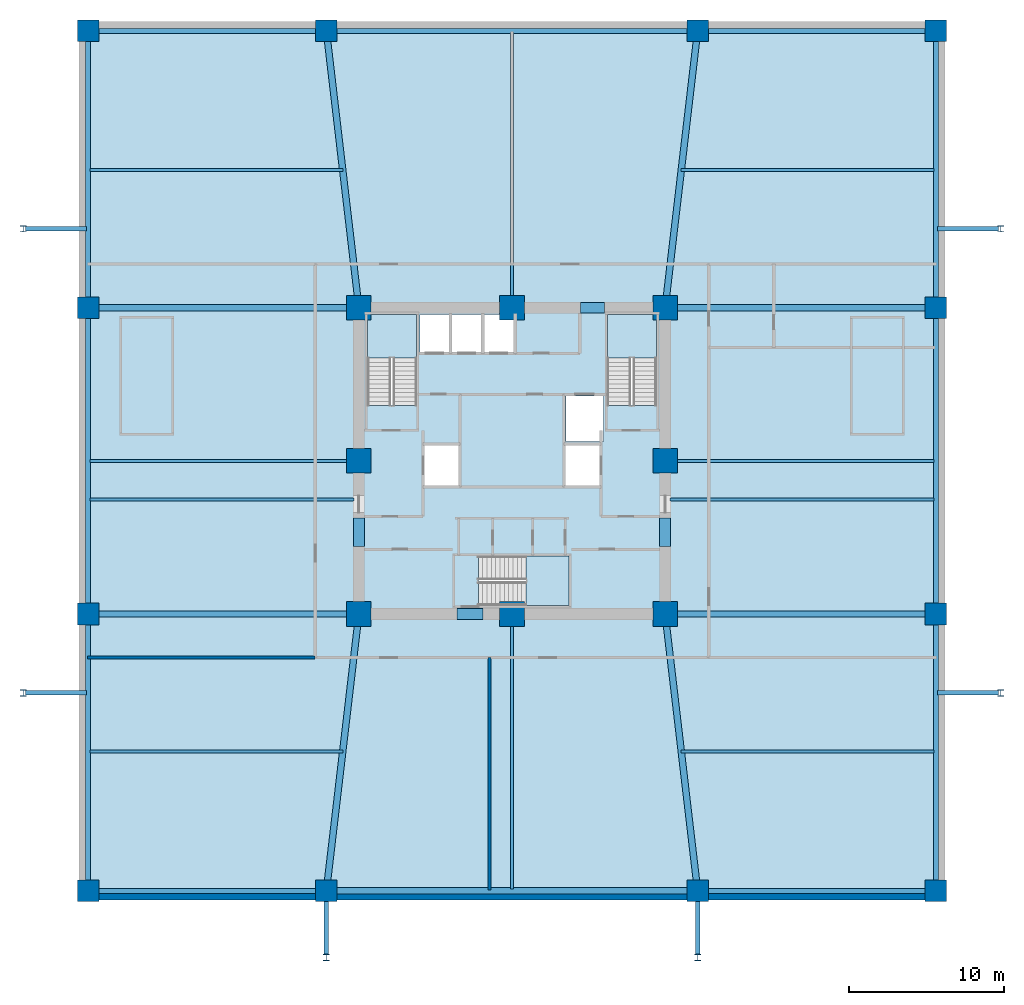
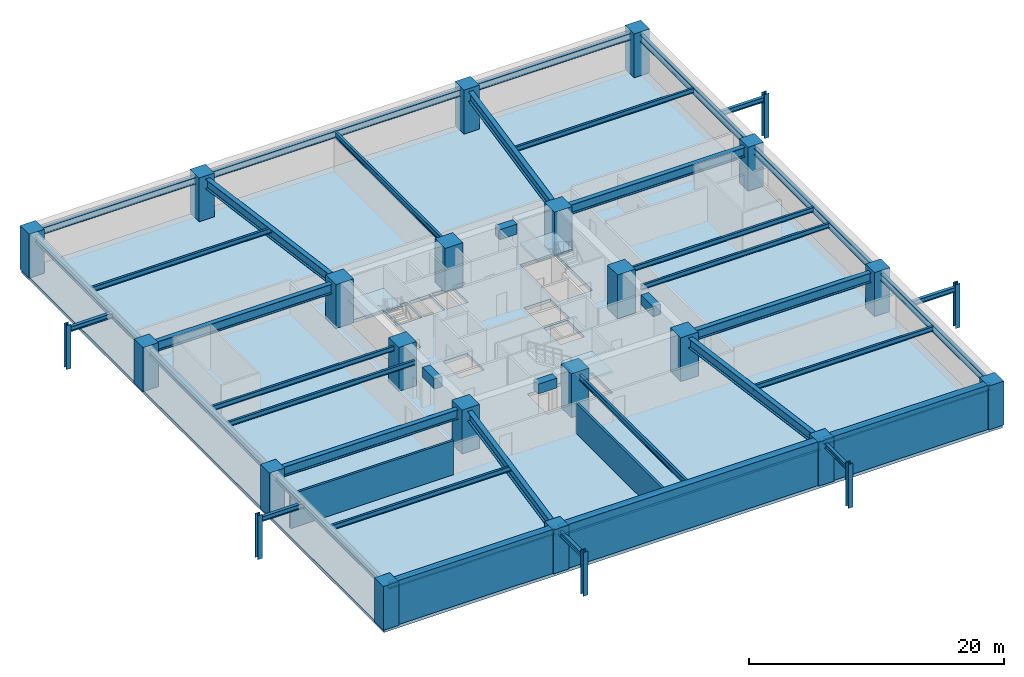
# One storey, part 1 of 5: 40 beams, 26 columns, 4 slabs, 3 walls, 3 elements without a shape of their own.
"""IFC4 building model written with IfcOpenShell, lengths in metres."""

import ifcopenshell
import ifcopenshell.guid

model = None  # the IFC model being written
_history = None  # IfcOwnerHistory: only IFC2X3 demands one
_inside = {}  # id of a spatial element -> (the spatial element, [elements in it])
_under = {}  # id of a project, library or spatial element -> (it, [spatial elements below it])
_declared = {}  # id of a project -> (the project, [libraries it declares])
_typed = {}  # id of a type object -> (the type object, [elements of that type])
_made_of = {}  # id of a material, layer set ... -> (it, [elements and type objects made of it])


def new_model(schema):
    """Start an empty IFC model of exactly this schema.

    Asked for "IFC4X3", IfcOpenShell would pick the latest addendum, in which some entities
    have other attributes; the version numbers below select the first issue.
    IFC2X3 requires an IfcOwnerHistory on every rooted entity: one is made here for all.
    """
    global model, _history
    if schema == "IFC4X3":
        model = ifcopenshell.file(schema_version=(4, 3, 0, 0))
    else:
        model = ifcopenshell.file(schema=schema)
    _inside.clear()
    _under.clear()
    _declared.clear()
    _typed.clear()
    _made_of.clear()
    _history = None
    if model.schema == "IFC2X3":
        org = make("IfcOrganization", Name="unknown")
        user = make(
            "IfcPersonAndOrganization",
            ThePerson=make("IfcPerson", FamilyName="unknown"),
            TheOrganization=org,
        )
        app = make(
            "IfcApplication",
            ApplicationDeveloper=org,
            Version="unknown",
            ApplicationFullName="unknown",
            ApplicationIdentifier="unknown",
        )
        _history = make(
            "IfcOwnerHistory",
            OwningUser=user,
            OwningApplication=app,
            ChangeAction="ADDED",
            CreationDate=0,
        )
    return model


def make(cls, **values):
    """One entity of the class cls with the attributes given. An attribute that is None is left unset."""
    return model.create_entity(
        cls, **{name: value for name, value in values.items() if value is not None}
    )


def rooted(cls, **values):
    """An entity with a GlobalId (a new one), such as an element, a storey or a relation."""
    return make(cls, GlobalId=ifcopenshell.guid.new(), OwnerHistory=_history, **values)


def si_unit(unit_type, name, prefix=None):
    """IfcSIUnit, for example si_unit("LENGTHUNIT", "METRE", prefix="MILLI")."""
    return make("IfcSIUnit", UnitType=unit_type, Prefix=prefix, Name=name)


def assignment(units):
    """IfcUnitAssignment: the units of a project."""
    return None if units is None else make("IfcUnitAssignment", Units=units)


def point(xyz):
    """IfcCartesianPoint."""
    return None if xyz is None else make("IfcCartesianPoint", Coordinates=xyz)


def direction(xyz):
    """IfcDirection."""
    return None if xyz is None else make("IfcDirection", DirectionRatios=xyz)


def frame(location, z_axis=None, x_axis=None):
    """IfcAxis2Placement3D, a coordinate frame: its origin and axes. An axis left out is left unset."""
    return make(
        "IfcAxis2Placement3D",
        Location=point(location),
        Axis=direction(z_axis),
        RefDirection=direction(x_axis),
    )


def frame_2d(location, x_axis=None):
    """IfcAxis2Placement2D, a coordinate frame in the plane: its origin and x axis."""
    return make(
        "IfcAxis2Placement2D", Location=point(location), RefDirection=direction(x_axis)
    )


def origin():
    """The frame at (0, 0, 0) with its axes left unset."""
    return frame((0.0, 0.0, 0.0))


def origin_2d():
    """The frame at (0, 0) in the plane with its x axis left unset."""
    return frame_2d((0.0, 0.0))


def place(relative_to, where):
    """IfcLocalPlacement: puts the frame where relative to a parent placement (None: the world)."""
    return make(
        "IfcLocalPlacement", PlacementRelTo=relative_to, RelativePlacement=where
    )


def context(
    kind, dimensions, precision=None, world=None, true_north=None, identifier=None
):
    """IfcGeometricRepresentationContext, for example the 3D "Model" context."""
    return make(
        "IfcGeometricRepresentationContext",
        ContextIdentifier=identifier,
        ContextType=kind,
        CoordinateSpaceDimension=dimensions,
        Precision=precision,
        WorldCoordinateSystem=world,
        TrueNorth=true_north,
    )


def subcontext(parent, identifier, kind, view, scale=None):
    """IfcGeometricRepresentationSubContext, for example "Body" below "Model"."""
    return make(
        "IfcGeometricRepresentationSubContext",
        ContextIdentifier=identifier,
        ContextType=kind,
        ParentContext=parent,
        TargetScale=scale,
        TargetView=view,
    )


def project(units=None, contexts=None):
    """IfcProject with its units and contexts."""
    return rooted(
        "IfcProject",
        Name="project",
        RepresentationContexts=contexts,
        UnitsInContext=assignment(units),
    )


def spatial(cls, under=None, at=None, **own):
    """A site, building, storey or space (cls), placed at a placement, below another one or the project."""
    s = rooted(cls, ObjectPlacement=at, **own)
    if under is not None:
        _under.setdefault(under.id(), (under, []))[1].append(s)
    return s


def polyline(points):
    """IfcPolyline through the points."""
    return make("IfcPolyline", Points=[point(p) for p in points])


def profile(cls, at=None, kind="AREA", **sizes):
    """A parametric profile (cls). Its sizes go by their IFC names, for example OverallWidth=200.0."""
    return make(cls, ProfileType=kind, Position=at, **sizes)


def rectangle(**sizes):
    """IfcRectangleProfileDef."""
    return profile("IfcRectangleProfileDef", **sizes)


def i_section(**sizes):
    """IfcIShapeProfileDef."""
    return profile("IfcIShapeProfileDef", **sizes)


def outline(outer, holes=None, kind="AREA"):
    """IfcArbitraryClosedProfileDef: a profile drawn as a closed curve; with holes, ...WithVoids."""
    if holes is None:
        return make("IfcArbitraryClosedProfileDef", ProfileType=kind, OuterCurve=outer)
    return make(
        "IfcArbitraryProfileDefWithVoids",
        ProfileType=kind,
        OuterCurve=outer,
        InnerCurves=holes,
    )


def extrude(swept, where, along, depth):
    """IfcExtrudedAreaSolid: the profile swept, set in the frame where, extruded along a direction by depth."""
    return make(
        "IfcExtrudedAreaSolid",
        SweptArea=swept,
        Position=where,
        ExtrudedDirection=direction(along),
        Depth=depth,
    )


def shape(context_of_items, identifier, shape_type, items):
    """IfcShapeRepresentation: the items that make up one representation, for example the "Body"."""
    return make(
        "IfcShapeRepresentation",
        ContextOfItems=context_of_items,
        RepresentationIdentifier=identifier,
        RepresentationType=shape_type,
        Items=items,
    )


def material(Name=None, Category=None):
    """IfcMaterial."""
    return make("IfcMaterial", Name=Name, Category=Category)


def layer(
    of_material, thickness, ventilated=None, Name=None, Category=None, Priority=None
):
    """IfcMaterialLayer: one layer of a wall or slab, of a material (None: an air gap)."""
    return make(
        "IfcMaterialLayer",
        Material=of_material,
        LayerThickness=thickness,
        IsVentilated=ventilated,
        Name=Name,
        Category=Category,
        Priority=Priority,
    )


def layer_set(layers, Name=None):
    """IfcMaterialLayerSet."""
    return make("IfcMaterialLayerSet", MaterialLayers=layers, LayerSetName=Name)


def material_profile(
    of_material, cross_section, Name=None, Category=None, Priority=None
):
    """IfcMaterialProfile: a cross section and its material."""
    return make(
        "IfcMaterialProfile",
        Name=Name,
        Material=of_material,
        Profile=cross_section,
        Priority=Priority,
        Category=Category,
    )


def profile_set(profiles, Name=None, composite=None):
    """IfcMaterialProfileSet."""
    return make(
        "IfcMaterialProfileSet",
        Name=Name,
        MaterialProfiles=profiles,
        CompositeProfile=composite,
    )


def made_of(thing, what):
    """Note that an element or type object is made of a material, layer set ...; save() writes the relation."""
    if what is not None:
        _made_of.setdefault(what.id(), (what, []))[1].append(thing)
    return thing


def type_object(cls, material=None, **own):
    """A type object (cls), such as IfcWallType, which elements share."""
    return made_of(rooted(cls, **own), material)


def element(
    cls,
    number,
    at=None,
    inside=None,
    cuts=None,
    type_object=None,
    material=None,
    context=None,
    identifier="Body",
    shape_type=None,
    held_by="IfcProductDefinitionShape",
    body=None,
    shapes=None,
    **own,
):
    """One element of the class cls, such as IfcWall. Its Tag is "e" and its number.

    at: its placement. inside: the storey or other place that contains it. cuts: it is an
    opening in that element (IfcRelVoidsElement). A single representation is given by context,
    identifier, shape_type and body (its items); several are given by shapes. held_by: the class
    of the entity that holds the representations. save() writes the other relations.
    """
    e = rooted(cls, Tag="e%d" % number, ObjectPlacement=at, **own)
    if body is not None:
        shapes = [shape(context, identifier, shape_type, body)]
    if shapes is not None:
        e.Representation = make(held_by, Representations=shapes)
    if inside is not None:
        _inside.setdefault(inside.id(), (inside, []))[1].append(e)
    if cuts is not None:
        rooted(
            "IfcRelVoidsElement", RelatingBuildingElement=cuts, RelatedOpeningElement=e
        )
    if type_object is not None:
        _typed.setdefault(type_object.id(), (type_object, []))[1].append(e)
    return made_of(e, material)


def aggregate(whole, parts):
    """IfcRelAggregates: a whole, such as a stair, and the parts it consists of."""
    return rooted("IfcRelAggregates", RelatingObject=whole, RelatedObjects=parts)


def save(model, path):
    """Write the relations noted so far, then the file.

    IfcRelAggregates (storeys below a building ...), IfcRelContainedInSpatialStructure (elements
    in a storey), IfcRelDefinesByType, IfcRelAssociatesMaterial and IfcRelDeclares: one each for
    every whole, place, type object, material and project.
    """
    for whole, parts in _under.values():
        aggregate(whole, parts)
    for where, things in _inside.values():
        rooted(
            "IfcRelContainedInSpatialStructure",
            RelatedElements=things,
            RelatingStructure=where,
        )
    for kind, things in _typed.values():
        rooted("IfcRelDefinesByType", RelatedObjects=things, RelatingType=kind)
    for what, things in _made_of.values():
        rooted("IfcRelAssociatesMaterial", RelatedObjects=things, RelatingMaterial=what)
    for by, libraries in _declared.values():
        rooted("IfcRelDeclares", RelatingContext=by, RelatedDefinitions=libraries)
    model.write(path)


model = new_model("IFC4")

# Units and contexts
model_context = context("Model", 3, precision=1e-05, world=origin(), true_north=direction((0.0, 1.0)))
body_context = subcontext(model_context, "Body", "Model", "MODEL_VIEW")
ifc_project = project(units=[si_unit("LENGTHUNIT", "METRE"), si_unit("AREAUNIT", "SQUARE_METRE"), si_unit("VOLUMEUNIT", "CUBIC_METRE"), si_unit("PLANEANGLEUNIT", "RADIAN"), si_unit("MASSUNIT", "GRAM", prefix="KILO")], contexts=[model_context])

# Site, building, storey
site_placement = place(None, origin())
site = spatial("IfcSite", under=ifc_project, at=site_placement, CompositionType="ELEMENT")
building_placement = place(site_placement, origin())
building = spatial("IfcBuilding", under=site, at=building_placement, Name="Kolvaren Belvedere", CompositionType="ELEMENT")
storey_placement = place(building_placement, frame((0.0, 0.0, -8.39990234375)))
storey = spatial("IfcBuildingStorey", under=building, at=storey_placement, Name="B02", CompositionType="ELEMENT", Elevation=-8.39990234375)

# Columns
ifc_material_1 = material(Name="Concrete C60/75", Category="concrete")
ifc_material_profile_1 = material_profile(ifc_material_1, rectangle(XDim=1.39990234375, YDim=1.39990234375, at=origin_2d()), Name="RC 1400X1400")
ifc_profile_set_1 = profile_set([ifc_material_profile_1], Name="Concrete C60/75")
column_type_1 = type_object("IfcColumnType", Name="COL-RC-1400", PredefinedType="COLUMN", material=ifc_profile_set_1)
for number, where, z_axis, x_axis, name in (
    (1, (-27.39990234375, -27.800048828125, 0.0), (0.0, 0.0, 1.0), (1.0, 0.0, 0.0), "B02 Podium Mega-Column PA1"),
    (2, (-12.0, -27.800048828125, 0.0), (0.0, 0.0, 1.0), (1.0, 0.0, 0.0), "B02 Podium Mega-Column PA2"),
    (3, (12.0, -27.800048828125, 0.0), (0.0, 0.0, 1.0), (1.0, 0.0, 0.0), "B02 Podium Mega-Column PA3"),
    (4, (27.39990234375, -27.800048828125, 0.0), (0.0, 0.0, 1.0), (1.0, 0.0, 0.0), "B02 Podium Mega-Column PA4"),
    (5, (-27.39990234375, -9.89990234375, 0.0), (0.0, 0.0, 1.0), (1.0, 0.0, 0.0), "B02 Podium Mega-Column PB1"),
    (6, (27.39990234375, -9.89990234375, 0.0), (0.0, 0.0, 1.0), (1.0, 0.0, 0.0), "B02 Podium Mega-Column PB4"),
    (7, (-27.39990234375, 9.89990234375, 0.0), (0.0, 0.0, 1.0), (1.0, 0.0, 0.0), "B02 Podium Mega-Column PC1"),
    (8, (27.39990234375, 9.89990234375, 0.0), (0.0, 0.0, 1.0), (1.0, 0.0, 0.0), "B02 Podium Mega-Column PC4"),
    (9, (-27.39990234375, 27.800048828125, 0.0), (0.0, 0.0, 1.0), (1.0, 0.0, 0.0), "B02 Podium Mega-Column PD1"),
    (10, (-12.0, 27.800048828125, 0.0), (0.0, 0.0, 1.0), (1.0, 0.0, 0.0), "B02 Podium Mega-Column PD2"),
    (11, (12.0, 27.800048828125, 0.0), (0.0, 0.0, 1.0), (1.0, 0.0, 0.0), "B02 Podium Mega-Column PD3"),
    (12, (27.39990234375, 27.800048828125, 0.0), (0.0, 0.0, 1.0), (1.0, 0.0, 0.0), "B02 Podium Mega-Column PD4"),
):
    element("IfcColumn", number, at=place(storey_placement, frame(where, z_axis=z_axis, x_axis=x_axis)), inside=storey, type_object=column_type_1, Name=name, PredefinedType="COLUMN", context=body_context, shape_type="SweptSolid", body=[
        extrude(rectangle(XDim=1.39990234375, YDim=1.39990234375, at=origin_2d()), origin(), (0.0, 0.0, 1.0), 4.199951171875),
    ])
ifc_material_2 = material(Name="Concrete C60/75", Category="concrete")
ifc_material_profile_2 = material_profile(ifc_material_2, rectangle(XDim=1.60009765625, YDim=1.60009765625, at=origin_2d()), Name="RC 1600X1600")
ifc_profile_set_2 = profile_set([ifc_material_profile_2], Name="Concrete C60/75")
column_type_2 = type_object("IfcColumnType", Name="COL-RC-1600", PredefinedType="COLUMN", material=ifc_profile_set_2)
for number, where, z_axis, x_axis, name in (
    (13, (-9.89990234375, -9.89990234375, 0.0), (0.0, 0.0, 1.0), (1.0, 0.0, 0.0), "B02 Core Column CC1"),
    (14, (9.89990234375, -9.89990234375, 0.0), (0.0, 0.0, 1.0), (1.0, 0.0, 0.0), "B02 Core Column CC2"),
    (15, (9.89990234375, 9.89990234375, 0.0), (0.0, 0.0, 1.0), (1.0, 0.0, 0.0), "B02 Core Column CC3"),
    (16, (-9.89990234375, 9.89990234375, 0.0), (0.0, 0.0, 1.0), (1.0, 0.0, 0.0), "B02 Core Column CC4"),
    (17, (0.0, -9.89990234375, 0.0), (0.0, 0.0, 1.0), (1.0, 0.0, 0.0), "B02 Core Column CM1"),
    (18, (9.89990234375, 0.0, 0.0), (0.0, 0.0, 1.0), (1.0, 0.0, 0.0), "B02 Core Column CM2"),
    (19, (0.0, 9.89990234375, 0.0), (0.0, 0.0, 1.0), (1.0, 0.0, 0.0), "B02 Core Column CM3"),
    (20, (-9.89990234375, 0.0, 0.0), (0.0, 0.0, 1.0), (1.0, 0.0, 0.0), "B02 Core Column CM4"),
):
    element("IfcColumn", number, at=place(storey_placement, frame(where, z_axis=z_axis, x_axis=x_axis)), inside=storey, type_object=column_type_2, Name=name, PredefinedType="COLUMN", context=body_context, shape_type="SweptSolid", body=[
        extrude(rectangle(XDim=1.60009765625, YDim=1.60009765625, at=origin_2d()), origin(), (0.0, 0.0, 1.0), 4.199951171875),
    ])
ifc_material_3 = material(Name="Structural steel ASTM A992 Grade 50", Category="steel")
ifc_material_profile_3 = material_profile(ifc_material_3, i_section(OverallWidth=0.412109375, OverallDepth=0.43505859375, WebThickness=0.035888671875, FlangeThickness=0.057373046875, FilletRadius=0.02490234375, at=origin_2d()), Name="W14X311")
ifc_profile_set_3 = profile_set([ifc_material_profile_3], Name="Structural steel ASTM A992 Grade 50")
column_type_3 = type_object("IfcColumnType", Name="COL-ST-W14X311", PredefinedType="COLUMN", material=ifc_profile_set_3)
for number, where, z_axis, x_axis, name in (
    (21, (-31.60009765625, 15.0, 0.0), (0.0, 0.0, 1.0), (1.0, 0.0, 0.0), "B02 Forecourt Canopy Column PAD-NW"),
    (22, (-31.60009765625, -15.0, 0.0), (0.0, 0.0, 1.0), (1.0, 0.0, 0.0), "B02 Forecourt Canopy Column PAD-SW"),
    (23, (31.60009765625, 15.0, 0.0), (0.0, 0.0, 1.0), (1.0, 0.0, 0.0), "B02 Forecourt Canopy Column PAD-NE"),
    (24, (31.60009765625, -15.0, 0.0), (0.0, 0.0, 1.0), (1.0, 0.0, 0.0), "B02 Forecourt Canopy Column PAD-SE"),
    (25, (-12.0, -32.10009765625, 0.0), (0.0, 0.0, 1.0), (1.0, 0.0, 0.0), "B02 Forecourt Canopy Column PAD-S1"),
    (26, (12.0, -32.10009765625, 0.0), (0.0, 0.0, 1.0), (1.0, 0.0, 0.0), "B02 Forecourt Canopy Column PAD-S2"),
):
    element("IfcColumn", number, at=place(storey_placement, frame(where, z_axis=z_axis, x_axis=x_axis)), inside=storey, type_object=column_type_3, Name=name, PredefinedType="COLUMN", context=body_context, shape_type="SweptSolid", body=[
        extrude(i_section(OverallWidth=0.412109375, OverallDepth=0.43505859375, WebThickness=0.035888671875, FlangeThickness=0.057373046875, FilletRadius=0.02490234375, at=origin_2d()), origin(), (0.0, 0.0, 1.0), 4.199951171875),
    ])

# Beams
ifc_material_4 = material(Name="Structural steel ASTM A992 Grade 50", Category="steel")
ifc_material_profile_4 = material_profile(ifc_material_4, i_section(OverallWidth=0.423095703125, OverallDepth=0.947998046875, WebThickness=0.02392578125, FlangeThickness=0.042724609375, FilletRadius=0.028076171875, at=origin_2d()), Name="W36X302")
ifc_profile_set_4 = profile_set([ifc_material_profile_4], Name="Structural steel ASTM A992 Grade 50")
beam_type_1 = type_object("IfcBeamType", Name="BM-ARCH-W36X302", PredefinedType="BEAM", material=ifc_profile_set_4)
beam_1_placement = place(storey_placement, frame((-11.85009765625, -27.800048828125, 3.42578125), z_axis=(1.0, 0.0, 0.0), x_axis=(0.0, 1.0, 0.0)))
element("IfcBeam", 27, at=beam_1_placement, inside=storey, type_object=beam_type_1, Name="B02 South Portal Header Spandrel", PredefinedType="SPANDREL", context=body_context, shape_type="SweptSolid", body=[
    extrude(i_section(OverallWidth=0.423095703125, OverallDepth=0.947998046875, WebThickness=0.02392578125, FlangeThickness=0.042724609375, FilletRadius=0.028076171875, at=origin_2d()), origin(), (0.0, 0.0, 1.0), 23.7001953125),
])
ifc_material_5 = material(Name="Structural steel ASTM A992 Grade 50", Category="steel")
ifc_material_profile_5 = material_profile(ifc_material_5, i_section(OverallWidth=0.281982421875, OverallDepth=0.467041015625, WebThickness=0.01220703125, FlangeThickness=0.01953125, FilletRadius=0.014892578125, at=origin_2d()), Name="W18X86")
ifc_profile_set_5 = profile_set([ifc_material_profile_5], Name="Structural steel ASTM A992 Grade 50")
beam_type_2 = type_object("IfcBeamType", Name="BM-CANT-PF", PredefinedType="BEAM", material=ifc_profile_set_5)
for number, where, z_axis, x_axis, name in (
    (28, (-31.43994140625, 15.0, 3.66650390625), (1.0, 0.0, 0.0), (0.0, 1.0, 0.0), "B02 Forecourt Canopy Tie Girder PAD-NW"),
    (29, (-31.43994140625, -15.0, 3.66650390625), (1.0, 0.0, 0.0), (0.0, 1.0, 0.0), "B02 Forecourt Canopy Tie Girder PAD-SW"),
    (30, (31.43994140625, 15.0, 3.66650390625), (-1.0, 0.0, 0.0), (0.0, -1.0, 0.0), "B02 Forecourt Canopy Tie Girder PAD-NE"),
    (31, (31.43994140625, -15.0, 3.66650390625), (-1.0, 0.0, 0.0), (0.0, -1.0, 0.0), "B02 Forecourt Canopy Tie Girder PAD-SE"),
):
    element("IfcBeam", number, at=place(storey_placement, frame(where, z_axis=z_axis, x_axis=x_axis)), inside=storey, type_object=beam_type_2, Name=name, PredefinedType="BEAM", context=body_context, shape_type="SweptSolid", body=[
        extrude(i_section(OverallWidth=0.281982421875, OverallDepth=0.467041015625, WebThickness=0.01220703125, FlangeThickness=0.01953125, FilletRadius=0.014892578125, at=origin_2d()), origin(), (0.0, 0.0, 1.0), 3.919921875),
    ])
for number, where, z_axis, x_axis, name in (
    (32, (-12.0, -31.93994140625, 3.66650390625), (0.0, 1.0, 0.0), (-1.0, 0.0, 0.0), "B02 Forecourt Canopy Tie Girder PAD-S1"),
    (33, (12.0, -31.93994140625, 3.66650390625), (0.0, 1.0, 0.0), (-1.0, 0.0, 0.0), "B02 Forecourt Canopy Tie Girder PAD-S2"),
):
    element("IfcBeam", number, at=place(storey_placement, frame(where, z_axis=z_axis, x_axis=x_axis)), inside=storey, type_object=beam_type_2, Name=name, PredefinedType="BEAM", context=body_context, shape_type="SweptSolid", body=[
        extrude(i_section(OverallWidth=0.281982421875, OverallDepth=0.467041015625, WebThickness=0.01220703125, FlangeThickness=0.01953125, FilletRadius=0.014892578125, at=origin_2d()), origin(), (0.0, 0.0, 1.0), 4.02001953125),
    ])
ifc_material_6 = material(Name="Structural steel ASTM A992 Grade 50", Category="steel")
ifc_material_profile_6 = material_profile(ifc_material_6, i_section(OverallWidth=0.2099609375, OverallDepth=0.537109375, WebThickness=0.010986328125, FlangeThickness=0.017333984375, FilletRadius=0.01611328125, at=origin_2d()), Name="W21X68")
ifc_profile_set_6 = profile_set([ifc_material_profile_6], Name="Structural steel ASTM A992 Grade 50")
beam_type_3 = type_object("IfcBeamType", Name="BM-FLR-W21X68", PredefinedType="BEAM", material=ifc_profile_set_6)
for number, where, z_axis, x_axis, name in (
    (34, (0.0, 10.22509765625, 3.63134765625), (0.0, 1.0, 0.0), (-1.0, 0.0, 0.0), "B02 North Centre Beam"),
    (35, (0.0, -10.22509765625, 3.63134765625), (0.0, -1.0, 0.0), (1.0, 0.0, 0.0), "B02 South Centre Beam"),
):
    element("IfcBeam", number, at=place(storey_placement, frame(where, z_axis=z_axis, x_axis=x_axis)), inside=storey, type_object=beam_type_3, Name=name, PredefinedType="BEAM", context=body_context, shape_type="SweptSolid", body=[
        extrude(i_section(OverallWidth=0.2099609375, OverallDepth=0.537109375, WebThickness=0.010986328125, FlangeThickness=0.017333984375, FilletRadius=0.01611328125, at=origin_2d()), origin(), (0.0, 0.0, 1.0), 17.454833984375),
    ])
ifc_material_7 = material(Name="Structural steel ASTM A992 Grade 50", Category="steel")
ifc_material_profile_7 = material_profile(ifc_material_7, i_section(OverallWidth=0.41796875, OverallDepth=0.927001953125, WebThickness=0.019287109375, FlangeThickness=0.031982421875, FilletRadius=0.028076171875, at=origin_2d()), Name="W36X231")
ifc_profile_set_7 = profile_set([ifc_material_profile_7], Name="Structural steel ASTM A992 Grade 50")
beam_type_4 = type_object("IfcBeamType", Name="BM-GIRD-W36X231", PredefinedType="BEAM", material=ifc_profile_set_7)
for number, where, z_axis, x_axis, name in (
    (36, (-27.25, -9.89990234375, 3.4365234375), (1.0, 0.0, 0.0), (0.0, 1.0, 0.0), "B02 West Interior Girder S"),
    (37, (-27.25, 9.89990234375, 3.4365234375), (1.0, 0.0, 0.0), (0.0, 1.0, 0.0), "B02 West Interior Girder N"),
    (38, (10.35009765625, -9.89990234375, 3.4365234375), (1.0, 0.0, 0.0), (0.0, 1.0, 0.0), "B02 East Interior Girder S"),
    (39, (10.35009765625, 9.89990234375, 3.4365234375), (1.0, 0.0, 0.0), (0.0, 1.0, 0.0), "B02 East Interior Girder N"),
):
    element("IfcBeam", number, at=place(storey_placement, frame(where, z_axis=z_axis, x_axis=x_axis)), inside=storey, type_object=beam_type_4, Name=name, PredefinedType="BEAM", context=body_context, shape_type="SweptSolid", body=[
        extrude(i_section(OverallWidth=0.41796875, OverallDepth=0.927001953125, WebThickness=0.019287109375, FlangeThickness=0.031982421875, FilletRadius=0.028076171875, at=origin_2d()), origin(), (0.0, 0.0, 1.0), 16.89990234375),
    ])
for number, where, z_axis, x_axis, name in (
    (40, (-9.952392578125, 10.346923828125, 3.4365234375), (-0.116516841483, 0.993188716031, 0.0), (-0.993188716031, -0.116516841483, 0.0), "B02 North-West Radial Girder"),
    (41, (9.952392578125, 10.346923828125, 3.4365234375), (0.116516841483, 0.993188716031, 0.0), (-0.993188716031, 0.116516841483, 0.0), "B02 North-East Radial Girder"),
    (42, (-9.952392578125, -10.346923828125, 3.4365234375), (-0.116516841483, -0.993188716031, 0.0), (0.993188716031, -0.116516841483, 0.0), "B02 South-West Portal Girder"),
    (43, (9.952392578125, -10.346923828125, 3.4365234375), (0.116516841483, -0.993188716031, 0.0), (0.993188716031, 0.116516841483, 0.0), "B02 South-East Portal Girder"),
):
    element("IfcBeam", number, at=place(storey_placement, frame(where, z_axis=z_axis, x_axis=x_axis)), inside=storey, type_object=beam_type_4, Name=name, PredefinedType="BEAM", context=body_context, shape_type="SweptSolid", body=[
        extrude(i_section(OverallWidth=0.41796875, OverallDepth=0.927001953125, WebThickness=0.019287109375, FlangeThickness=0.031982421875, FilletRadius=0.028076171875, at=origin_2d()), origin(), (0.0, 0.0, 1.0), 17.422607421875),
    ])
ifc_material_8 = material(Name="Structural steel ASTM A992 Grade 50", Category="steel")
ifc_material_profile_8 = material_profile(ifc_material_8, i_section(OverallWidth=0.19091796875, OverallDepth=0.4599609375, WebThickness=0.010009765625, FlangeThickness=0.01611328125, FilletRadius=0.014892578125, at=origin_2d()), Name="W18X55")
ifc_profile_set_8 = profile_set([ifc_material_profile_8], Name="Structural steel ASTM A992 Grade 50")
beam_type_5 = type_object("IfcBeamType", Name="BM-JOIST-W18X55", PredefinedType="BEAM", material=ifc_profile_set_8)
for number, where, z_axis, x_axis, name in (
    (44, (-27.280029296875, -18.800048828125, 3.669921875), (1.0, 0.0, 0.0), (0.0, 1.0, 0.0), "B02 West Bay Floor Beam"),
    (45, (10.93994140625, -18.800048828125, 3.669921875), (1.0, 0.0, 0.0), (0.0, 1.0, 0.0), "B02 East Bay Floor Beam"),
):
    element("IfcBeam", number, at=place(storey_placement, frame(where, z_axis=z_axis, x_axis=x_axis)), inside=storey, type_object=beam_type_5, Name=name, PredefinedType="BEAM", context=body_context, shape_type="SweptSolid", body=[
        extrude(i_section(OverallWidth=0.19091796875, OverallDepth=0.4599609375, WebThickness=0.010009765625, FlangeThickness=0.01611328125, FilletRadius=0.014892578125, at=origin_2d()), origin(), (0.0, 0.0, 1.0), 16.340087890625),
    ])
for number, where, z_axis, x_axis, name in (
    (46, (-27.280029296875, -2.5, 3.669921875), (1.0, 0.0, 0.0), (0.0, 1.0, 0.0), "B02 West Bay Floor Beam"),
    (47, (10.22509765625, -2.5, 3.669921875), (1.0, 0.0, 0.0), (0.0, 1.0, 0.0), "B02 East Bay Floor Beam"),
    (48, (-27.280029296875, 0.0, 3.669921875), (1.0, 0.0, 0.0), (0.0, 1.0, 0.0), "B02 West Bay Floor Beam"),
    (49, (10.22509765625, 0.0, 3.669921875), (1.0, 0.0, 0.0), (0.0, 1.0, 0.0), "B02 East Bay Floor Beam"),
):
    element("IfcBeam", number, at=place(storey_placement, frame(where, z_axis=z_axis, x_axis=x_axis)), inside=storey, type_object=beam_type_5, Name=name, PredefinedType="BEAM", context=body_context, shape_type="SweptSolid", body=[
        extrude(i_section(OverallWidth=0.19091796875, OverallDepth=0.4599609375, WebThickness=0.010009765625, FlangeThickness=0.01611328125, FilletRadius=0.014892578125, at=origin_2d()), origin(), (0.0, 0.0, 1.0), 17.054931640625),
    ])
for number, where, z_axis, x_axis, name in (
    (50, (-27.280029296875, 18.800048828125, 3.669921875), (1.0, 0.0, 0.0), (0.0, 1.0, 0.0), "B02 West Bay Floor Beam"),
    (51, (10.93994140625, 18.800048828125, 3.669921875), (1.0, 0.0, 0.0), (0.0, 1.0, 0.0), "B02 East Bay Floor Beam"),
):
    element("IfcBeam", number, at=place(storey_placement, frame(where, z_axis=z_axis, x_axis=x_axis)), inside=storey, type_object=beam_type_5, Name=name, PredefinedType="BEAM", context=body_context, shape_type="SweptSolid", body=[
        extrude(i_section(OverallWidth=0.19091796875, OverallDepth=0.4599609375, WebThickness=0.010009765625, FlangeThickness=0.01611328125, FilletRadius=0.014892578125, at=origin_2d()), origin(), (0.0, 0.0, 1.0), 16.340087890625),
    ])
ifc_material_9 = material(Name="Concrete C60/75", Category="concrete")
ifc_material_profile_9 = material_profile(ifc_material_9, rectangle(XDim=0.699951171875, YDim=0.949951171875, at=origin_2d()), Name="RC 700X950")
ifc_profile_set_9 = profile_set([ifc_material_profile_9], Name="Concrete C60/75")
beam_type_6 = type_object("IfcBeamType", Name="BM-LINT-950", PredefinedType="LINTEL", material=ifc_profile_set_9)
beam_2_placement = place(storey_placement, frame((-3.5400390625, -9.89990234375, 3.4248046875), z_axis=(1.0, 0.0, 0.0), x_axis=(0.0, 1.0, 0.0)))
element("IfcBeam", 52, at=beam_2_placement, inside=storey, type_object=beam_type_6, Name="B02 South Core Coupling Lintel", PredefinedType="LINTEL", context=body_context, shape_type="SweptSolid", body=[
    extrude(rectangle(XDim=0.699951171875, YDim=0.949951171875, at=origin_2d()), origin(), (0.0, 0.0, 1.0), 1.679931640625),
])
beam_3_placement = place(storey_placement, frame((4.419921875, 9.89990234375, 3.4248046875), z_axis=(1.0, 0.0, 0.0), x_axis=(0.0, 1.0, 0.0)))
element("IfcBeam", 53, at=beam_3_placement, inside=storey, type_object=beam_type_6, Name="B02 North Core Coupling Lintel", PredefinedType="LINTEL", context=body_context, shape_type="SweptSolid", body=[
    extrude(rectangle(XDim=0.699951171875, YDim=0.949951171875, at=origin_2d()), origin(), (0.0, 0.0, 1.0), 1.56005859375),
])
for number, where, z_axis, x_axis, name in (
    (54, (-9.89990234375, -5.550048828125, 3.4248046875), (0.0, 1.0, 0.0), (-1.0, 0.0, 0.0), "B02 West Core Coupling Lintel"),
    (55, (9.89990234375, -5.550048828125, 3.4248046875), (0.0, 1.0, 0.0), (-1.0, 0.0, 0.0), "B02 East Core Coupling Lintel"),
):
    element("IfcBeam", number, at=place(storey_placement, frame(where, z_axis=z_axis, x_axis=x_axis)), inside=storey, type_object=beam_type_6, Name=name, PredefinedType="LINTEL", context=body_context, shape_type="SweptSolid", body=[
        extrude(rectangle(XDim=0.699951171875, YDim=0.949951171875, at=origin_2d()), origin(), (0.0, 0.0, 1.0), 1.85009765625),
    ])
ifc_material_10 = material(Name="Structural steel ASTM A992 Grade 50", Category="steel")
ifc_material_profile_10 = material_profile(ifc_material_10, i_section(OverallWidth=0.324951171875, OverallDepth=0.615966796875, WebThickness=0.013916015625, FlangeThickness=0.021484375, FilletRadius=0.02001953125, at=origin_2d()), Name="W24X117")
ifc_profile_set_10 = profile_set([ifc_material_profile_10], Name="Structural steel ASTM A992 Grade 50")
beam_type_7 = type_object("IfcBeamType", Name="BM-SPAN-W24X117", PredefinedType="SPANDREL", material=ifc_profile_set_10)
beam_4_placement = place(storey_placement, frame((-27.25, 27.800048828125, 3.591796875), z_axis=(1.0, 0.0, 0.0), x_axis=(0.0, 1.0, 0.0)))
element("IfcBeam", 56, at=beam_4_placement, inside=storey, type_object=beam_type_7, Name="B02 North Podium Spandrel 1", PredefinedType="SPANDREL", context=body_context, shape_type="SweptSolid", body=[
    extrude(i_section(OverallWidth=0.324951171875, OverallDepth=0.615966796875, WebThickness=0.013916015625, FlangeThickness=0.021484375, FilletRadius=0.02001953125, at=origin_2d()), origin(), (0.0, 0.0, 1.0), 15.10009765625),
])
beam_5_placement = place(storey_placement, frame((-11.85009765625, 27.800048828125, 3.591796875), z_axis=(1.0, 0.0, 0.0), x_axis=(0.0, 1.0, 0.0)))
element("IfcBeam", 57, at=beam_5_placement, inside=storey, type_object=beam_type_7, Name="B02 North Podium Spandrel 2", PredefinedType="SPANDREL", context=body_context, shape_type="SweptSolid", body=[
    extrude(i_section(OverallWidth=0.324951171875, OverallDepth=0.615966796875, WebThickness=0.013916015625, FlangeThickness=0.021484375, FilletRadius=0.02001953125, at=origin_2d()), origin(), (0.0, 0.0, 1.0), 23.7001953125),
])
for number, where, z_axis, x_axis, name in (
    (58, (12.14990234375, 27.800048828125, 3.591796875), (1.0, 0.0, 0.0), (0.0, 1.0, 0.0), "B02 North Podium Spandrel 3"),
    (59, (-27.25, -27.800048828125, 3.591796875), (1.0, 0.0, 0.0), (0.0, 1.0, 0.0), "B02 South Podium Spandrel 1"),
    (60, (12.14990234375, -27.800048828125, 3.591796875), (1.0, 0.0, 0.0), (0.0, 1.0, 0.0), "B02 South Podium Spandrel 3"),
):
    element("IfcBeam", number, at=place(storey_placement, frame(where, z_axis=z_axis, x_axis=x_axis)), inside=storey, type_object=beam_type_7, Name=name, PredefinedType="SPANDREL", context=body_context, shape_type="SweptSolid", body=[
        extrude(i_section(OverallWidth=0.324951171875, OverallDepth=0.615966796875, WebThickness=0.013916015625, FlangeThickness=0.021484375, FilletRadius=0.02001953125, at=origin_2d()), origin(), (0.0, 0.0, 1.0), 15.10009765625),
    ])
beam_6_placement = place(storey_placement, frame((-27.39990234375, -27.64990234375, 3.591796875), z_axis=(0.0, 1.0, 0.0), x_axis=(-1.0, 0.0, 0.0)))
element("IfcBeam", 61, at=beam_6_placement, inside=storey, type_object=beam_type_7, Name="B02 W Podium Spandrel 1", PredefinedType="SPANDREL", context=body_context, shape_type="SweptSolid", body=[
    extrude(i_section(OverallWidth=0.324951171875, OverallDepth=0.615966796875, WebThickness=0.013916015625, FlangeThickness=0.021484375, FilletRadius=0.02001953125, at=origin_2d()), origin(), (0.0, 0.0, 1.0), 17.599853515625),
])
beam_7_placement = place(storey_placement, frame((-27.39990234375, -9.75, 3.591796875), z_axis=(0.0, 1.0, 0.0), x_axis=(-1.0, 0.0, 0.0)))
element("IfcBeam", 62, at=beam_7_placement, inside=storey, type_object=beam_type_7, Name="B02 W Podium Spandrel 2", PredefinedType="SPANDREL", context=body_context, shape_type="SweptSolid", body=[
    extrude(i_section(OverallWidth=0.324951171875, OverallDepth=0.615966796875, WebThickness=0.013916015625, FlangeThickness=0.021484375, FilletRadius=0.02001953125, at=origin_2d()), origin(), (0.0, 0.0, 1.0), 19.5),
])
for number, where, z_axis, x_axis, name in (
    (63, (-27.39990234375, 10.050048828125, 3.591796875), (0.0, 1.0, 0.0), (-1.0, 0.0, 0.0), "B02 W Podium Spandrel 3"),
    (64, (27.39990234375, -27.64990234375, 3.591796875), (0.0, 1.0, 0.0), (-1.0, 0.0, 0.0), "B02 E Podium Spandrel 1"),
):
    element("IfcBeam", number, at=place(storey_placement, frame(where, z_axis=z_axis, x_axis=x_axis)), inside=storey, type_object=beam_type_7, Name=name, PredefinedType="SPANDREL", context=body_context, shape_type="SweptSolid", body=[
        extrude(i_section(OverallWidth=0.324951171875, OverallDepth=0.615966796875, WebThickness=0.013916015625, FlangeThickness=0.021484375, FilletRadius=0.02001953125, at=origin_2d()), origin(), (0.0, 0.0, 1.0), 17.599853515625),
    ])
beam_8_placement = place(storey_placement, frame((27.39990234375, -9.75, 3.591796875), z_axis=(0.0, 1.0, 0.0), x_axis=(-1.0, 0.0, 0.0)))
element("IfcBeam", 65, at=beam_8_placement, inside=storey, type_object=beam_type_7, Name="B02 E Podium Spandrel 2", PredefinedType="SPANDREL", context=body_context, shape_type="SweptSolid", body=[
    extrude(i_section(OverallWidth=0.324951171875, OverallDepth=0.615966796875, WebThickness=0.013916015625, FlangeThickness=0.021484375, FilletRadius=0.02001953125, at=origin_2d()), origin(), (0.0, 0.0, 1.0), 19.5),
])
beam_9_placement = place(storey_placement, frame((27.39990234375, 10.050048828125, 3.591796875), z_axis=(0.0, 1.0, 0.0), x_axis=(-1.0, 0.0, 0.0)))
element("IfcBeam", 66, at=beam_9_placement, inside=storey, type_object=beam_type_7, Name="B02 E Podium Spandrel 3", PredefinedType="SPANDREL", context=body_context, shape_type="SweptSolid", body=[
    extrude(i_section(OverallWidth=0.324951171875, OverallDepth=0.615966796875, WebThickness=0.013916015625, FlangeThickness=0.021484375, FilletRadius=0.02001953125, at=origin_2d()), origin(), (0.0, 0.0, 1.0), 17.599853515625),
])

# Slab
ifc_material_11 = material(Name="Concrete C50/60", Category="concrete")
ifc_layer_1 = layer(ifc_material_11, 0.300048828125)
ifc_layer_set_1 = layer_set([ifc_layer_1], Name="Concrete C50/60")
slab_type_1 = type_object("IfcSlabType", Name="SL-FLR-300", PredefinedType="FLOOR", material=ifc_layer_set_1)
slab_1_placement = place(storey_placement, frame((0.0, 0.0, -0.300048828125)))
element("IfcSlab", 67, at=slab_1_placement, inside=storey, type_object=slab_type_1, Name="B02 Primary Structural Slab", PredefinedType="FLOOR", context=body_context, shape_type="SweptSolid", body=[
    extrude(outline(polyline([(-28.0, -28.39990234375), (28.0, -28.39990234375), (28.0, 28.39990234375), (-28.0, 28.39990234375), (-28.0, -28.39990234375)]), holes=[polyline([(-9.35009765625, 3.580078125), (-6.159912109375, 3.580078125), (-6.159912109375, 9.449951171875), (-9.35009765625, 9.449951171875), (-9.35009765625, 3.580078125)]), polyline([(6.159912109375, 3.580078125), (9.35009765625, 3.580078125), (9.35009765625, 9.449951171875), (6.159912109375, 9.449951171875), (6.159912109375, 3.580078125)]), polyline([(-2.169921875, -9.35009765625), (3.699951171875, -9.35009765625), (3.699951171875, -6.159912109375), (-2.169921875, -6.159912109375), (-2.169921875, -9.35009765625)]), polyline([(-5.64990234375, -1.60009765625), (-3.449951171875, -1.60009765625), (-3.449951171875, 1.0), (-5.64990234375, 1.0), (-5.64990234375, -1.60009765625)]), polyline([(3.5, 1.25), (5.89990234375, 1.25), (5.89990234375, 4.199951171875), (3.5, 4.199951171875), (3.5, 1.25)]), polyline([(3.449951171875, -1.60009765625), (5.64990234375, -1.60009765625), (5.64990234375, 1.0), (3.449951171875, 1.0), (3.449951171875, -1.60009765625)]), polyline([(-5.9599609375, 7.050048828125), (-4.06005859375, 7.050048828125), (-4.06005859375, 9.449951171875), (-5.9599609375, 9.449951171875), (-5.9599609375, 7.050048828125)]), polyline([(-3.8798828125, 7.050048828125), (-1.97998046875, 7.050048828125), (-1.97998046875, 9.449951171875), (-3.8798828125, 9.449951171875), (-3.8798828125, 7.050048828125)]), polyline([(-1.800048828125, 7.050048828125), (0.10009765625, 7.050048828125), (0.10009765625, 9.449951171875), (-1.800048828125, 9.449951171875), (-1.800048828125, 7.050048828125)])]), origin(), (0.0, 0.0, 1.0), 0.300048828125),
])

# Stair, slab
ifc_material_12 = material(Name="Concrete C50/60", Category="concrete")
stair_type = type_object("IfcStairType", Name="ST-CORE-1520", PredefinedType="HALF_TURN_STAIR", material=ifc_material_12)
stair_1_placement = place(storey_placement, origin())
stair_1 = element("IfcStair", 68, at=stair_1_placement, inside=storey, type_object=stair_type, Name="B02 Protected Exit Stair ST-1", PredefinedType="HALF_TURN_STAIR")
ifc_material_13 = material(Name="Concrete C50/60", Category="concrete")
ifc_layer_2 = layer(ifc_material_13, 0.260009765625)
ifc_layer_set_2 = layer_set([ifc_layer_2], Name="Concrete C50/60")
slab_type_2 = type_object("IfcSlabType", Name="SL-LAND-260", PredefinedType="LANDING", material=ifc_layer_set_2)
slab_2_placement = place(storey_placement, frame((0.0, 0.0, 1.89990234375)))
slab_2 = element("IfcSlab", 69, at=slab_2_placement, type_object=slab_type_2, Name="ST-1 landing 1", PredefinedType="LANDING", context=body_context, shape_type="SweptSolid", body=[
    extrude(outline(polyline([(-6.159912109375, 6.64990234375), (-6.159912109375, 9.449951171875), (-9.35009765625, 9.449951171875), (-9.35009765625, 6.64990234375), (-6.159912109375, 6.64990234375)])), origin(), (0.0, 0.0, 1.0), 0.199951171875),
])
aggregate(stair_1, [slab_2])

stair_2_placement = place(storey_placement, origin())
stair_2 = element("IfcStair", 70, at=stair_2_placement, inside=storey, type_object=stair_type, Name="B02 Protected Exit Stair ST-2", PredefinedType="HALF_TURN_STAIR")
slab_3_placement = place(storey_placement, frame((0.0, 0.0, 1.89990234375)))
slab_3 = element("IfcSlab", 71, at=slab_3_placement, type_object=slab_type_2, Name="ST-2 landing 1", PredefinedType="LANDING", context=body_context, shape_type="SweptSolid", body=[
    extrude(outline(polyline([(9.35009765625, 6.64990234375), (9.35009765625, 9.449951171875), (6.159912109375, 9.449951171875), (6.159912109375, 6.64990234375), (9.35009765625, 6.64990234375)])), origin(), (0.0, 0.0, 1.0), 0.199951171875),
])
aggregate(stair_2, [slab_3])

stair_3_placement = place(storey_placement, origin())
stair_3 = element("IfcStair", 72, at=stair_3_placement, inside=storey, type_object=stair_type, Name="B02 Protected Exit Stair ST-3", PredefinedType="HALF_TURN_STAIR")
slab_4_placement = place(storey_placement, frame((0.0, 0.0, 1.89990234375)))
slab_4 = element("IfcSlab", 73, at=slab_4_placement, type_object=slab_type_2, Name="ST-3 landing 1", PredefinedType="LANDING", context=body_context, shape_type="SweptSolid", body=[
    extrude(outline(polyline([(0.89990234375, -9.35009765625), (3.699951171875, -9.35009765625), (3.699951171875, -6.159912109375), (0.89990234375, -6.159912109375), (0.89990234375, -9.35009765625)])), origin(), (0.0, 0.0, 1.0), 0.199951171875),
])
aggregate(stair_3, [slab_4])

# Walls
ifc_material_14 = material(Name="Concrete C50/60", Category="concrete")
ifc_layer_3 = layer(ifc_material_14, 0.64990234375)
ifc_layer_set_3 = layer_set([ifc_layer_3], Name="Concrete C50/60")
wall_type_1 = type_object("IfcWallType", Name="RW-BASE-650", PredefinedType="SHEAR", material=ifc_layer_set_3)
wall_1_placement = place(storey_placement, frame((-28.0, -28.074951171875, 0.0), z_axis=(0.0, 0.0, 1.0), x_axis=(1.0, 0.0, 0.0)))
element("IfcWall", 74, at=wall_1_placement, inside=storey, type_object=wall_type_1, Name="B02 South Perimeter Retaining Wall", PredefinedType="SHEAR", context=body_context, shape_type="SweptSolid", body=[
    extrude(rectangle(XDim=56.0, YDim=0.64990234375, at=frame_2d((28.0, 0.0))), origin(), (0.0, 0.0, 1.0), 4.199951171875),
])
ifc_material_15 = material(Name="Concrete C50/60", Category="concrete")
ifc_layer_4 = layer(ifc_material_15, 0.199951171875)
ifc_layer_set_4 = layer_set([ifc_layer_4], Name="Concrete C50/60")
wall_type_2 = type_object("IfcWallType", Name="WL-SHAFT-200", PredefinedType="SOLIDWALL", material=ifc_layer_set_4)
wall_2_placement = place(storey_placement, frame((-27.43994140625, -12.719970703125, 0.0), z_axis=(0.0, 0.0, 1.0), x_axis=(1.0, 0.0, 0.0)))
element("IfcWall", 75, at=wall_2_placement, inside=storey, type_object=wall_type_2, Name="B02 Sector Wall PW-B02-QSW", PredefinedType="SOLIDWALL", context=body_context, shape_type="SweptSolid", body=[
    extrude(rectangle(XDim=14.719970703125, YDim=0.199951171875, at=frame_2d((7.35986328125, 0.0))), origin(), (0.0, 0.0, 1.0), 3.268798828125),
])
wall_3_placement = place(storey_placement, frame((-1.449951171875, -27.75, 0.0), z_axis=(0.0, 0.0, 1.0), x_axis=(0.0, 1.0, 0.0)))
element("IfcWall", 76, at=wall_3_placement, inside=storey, type_object=wall_type_2, Name="B02 South Plant Divider", PredefinedType="SOLIDWALL", context=body_context, shape_type="SweptSolid", body=[
    extrude(rectangle(XDim=15.030029296875, YDim=0.199951171875, at=frame_2d((7.51513671875, 0.0))), origin(), (0.0, 0.0, 1.0), 2.93701171875),
])

save(model, "model.ifc")
